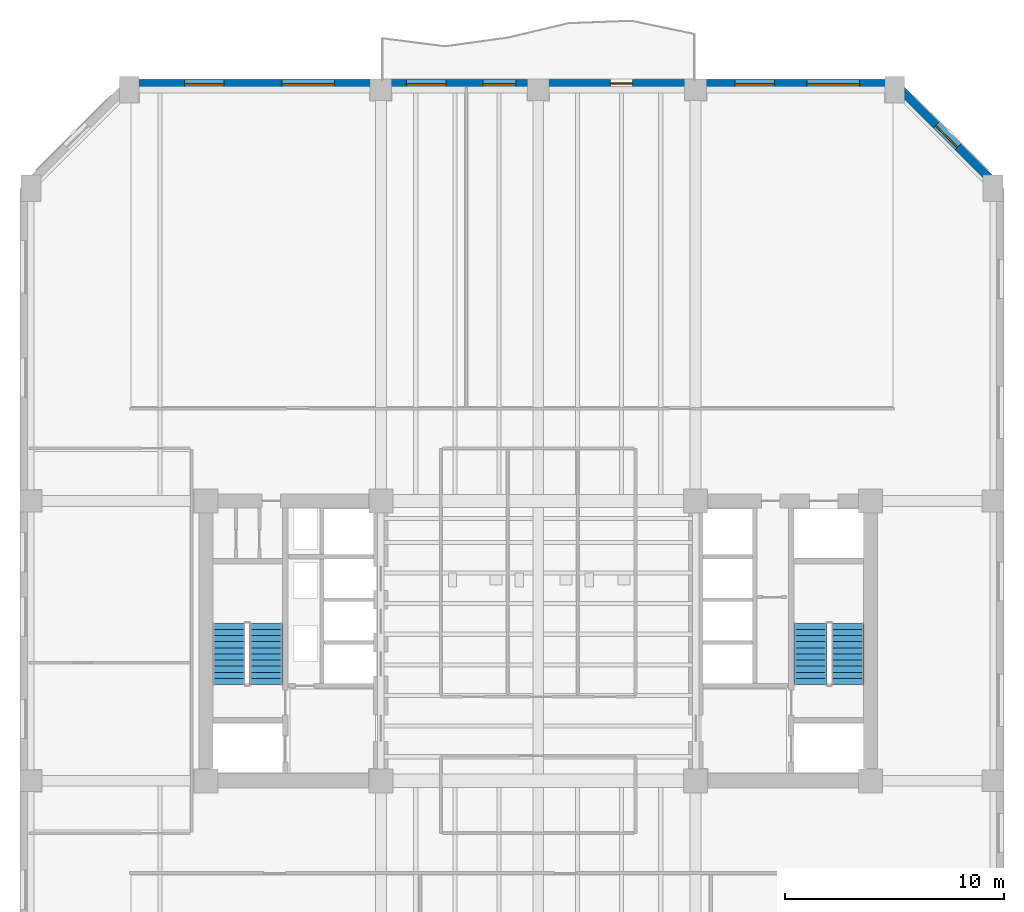
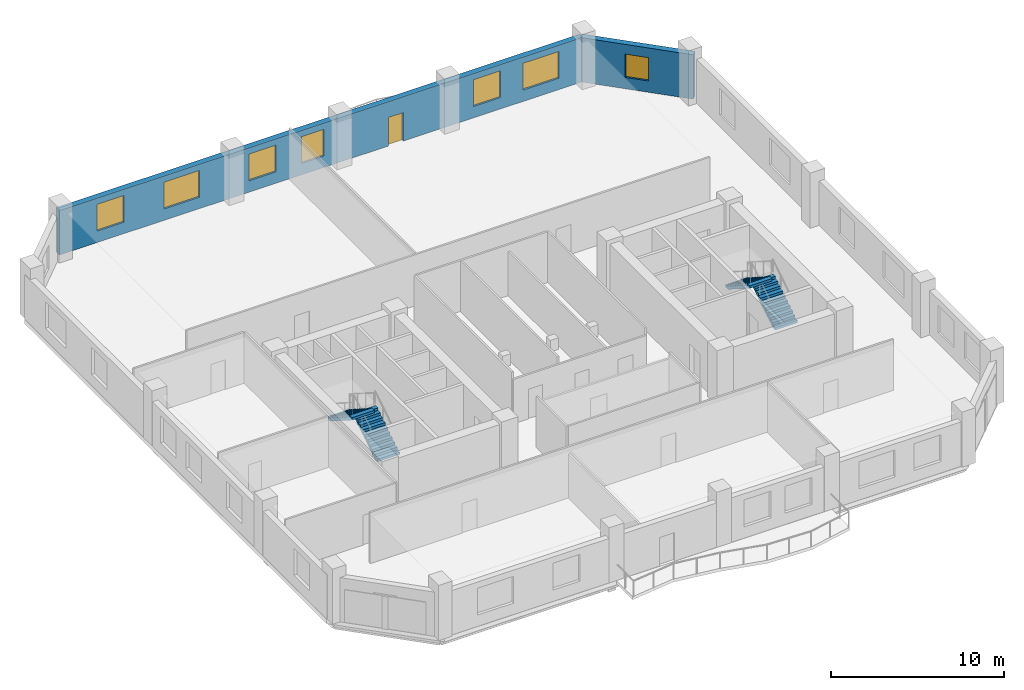
# One storey, part 5 of 10: 7 windows, 4 stair flights, 2 walls, 1 door, 8 openings, 2 elements without a shape of their own.
"""IFC4 building model written with IfcOpenShell, lengths in metres."""

from ifc_helpers import new_model, si_unit, direction, frame, frame_2d, origin, place, context, subcontext, project, spatial, polyline, rectangle, outline, extrude, material, layer, layer_set, type_object, element, fill, aggregate, save


model = new_model("IFC4")

# Units and contexts
model_context = context("Model", 3, precision=1e-05, world=origin(), true_north=direction((0.0, 1.0)))
body_context = subcontext(model_context, "Body", "Model", "MODEL_VIEW")
ifc_project = project(units=[si_unit("LENGTHUNIT", "METRE"), si_unit("AREAUNIT", "SQUARE_METRE"), si_unit("VOLUMEUNIT", "CUBIC_METRE"), si_unit("PLANEANGLEUNIT", "RADIAN"), si_unit("MASSUNIT", "GRAM", prefix="KILO")], contexts=[model_context])

# Site, building, storey
site_placement = place(None, origin())
site = spatial("IfcSite", under=ifc_project, at=site_placement, CompositionType="ELEMENT")
building_placement = place(site_placement, origin())
building = spatial("IfcBuilding", under=site, at=building_placement, Name="Kranthara Brick Stack", CompositionType="ELEMENT")
storey_placement = place(building_placement, frame((0.0, 0.0, 102.300048828125)))
storey = spatial("IfcBuildingStorey", under=building, at=storey_placement, Name="L25", CompositionType="ELEMENT", Elevation=102.300048828125)

# Wall, openings, door, windows
ifc_material_1 = material(Name="Kiln-fired clay brick masonry M15", Category="masonry")
ifc_layer = layer(ifc_material_1, 0.3798828125)
ifc_layer_set = layer_set([ifc_layer], Name="Kiln-fired clay brick masonry M15")
wall_type = type_object("IfcWallType", Name="WL-BRK-PIER-380", PredefinedType="STANDARD", material=ifc_layer_set)
wall_1_placement = place(storey_placement, frame((9.300048828125, 52.68994140625, 0.0), z_axis=(0.0, 0.0, 1.0), x_axis=(1.0, 0.0, 0.0)))
wall_1 = element("IfcWall", 1, at=wall_1_placement, inside=storey, type_object=wall_type, Name="L25 Exterior Brick Facade Wall NORTH 1", PredefinedType="STANDARD", context=body_context, shape_type="SweptSolid", body=[
    extrude(rectangle(XDim=35.0, YDim=0.3798828125, at=frame_2d((17.5, 0.0))), origin(), (0.0, 0.0, 1.0), 3.135009765625),
])
opening_1_placement = place(wall_1_placement, frame((22.0, 0.0, 0.0)))
opening_1 = element("IfcOpeningElement", 2, at=opening_1_placement, cuts=wall_1, Name="Opening D03", PredefinedType="OPENING", context=body_context, shape_type="SweptSolid", body=[
    extrude(rectangle(XDim=1.0, YDim=2.02001953125, at=frame_2d((0.5, 1.010009765625))), frame((0.0, 0.199951171875, 0.0), z_axis=(0.0, -1.0, 0.0), x_axis=(1.0, 0.0, 0.0)), (0.0, 0.0, 1.0), 0.39990234375),
])
opening_2_placement = place(wall_1_placement, frame((2.52392578125, 0.0, 0.800048828125)))
opening_2 = element("IfcOpeningElement", 3, at=opening_2_placement, cuts=wall_1, Name="Opening WN01", PredefinedType="OPENING", context=body_context, shape_type="SweptSolid", body=[
    extrude(rectangle(XDim=1.800048828125, YDim=1.89990234375, at=frame_2d((0.89990234375, 0.949951171875))), frame((0.0, 0.199951171875, 0.0), z_axis=(0.0, -1.0, 0.0), x_axis=(1.0, 0.0, 0.0)), (0.0, 0.0, 1.0), 0.39990234375),
])
opening_3_placement = place(wall_1_placement, frame((6.97607421875, 0.0, 0.800048828125)))
opening_3 = element("IfcOpeningElement", 4, at=opening_3_placement, cuts=wall_1, Name="Opening WN02", PredefinedType="OPENING", context=body_context, shape_type="SweptSolid", body=[
    extrude(rectangle(XDim=2.39990234375, YDim=1.89990234375, at=frame_2d((1.199951171875, 0.949951171875))), frame((0.0, 0.199951171875, 0.0), z_axis=(0.0, -1.0, 0.0), x_axis=(1.0, 0.0, 0.0)), (0.0, 0.0, 1.0), 0.39990234375),
])
opening_4_placement = place(wall_1_placement, frame((12.675048828125, 0.0, 0.800048828125)))
opening_4 = element("IfcOpeningElement", 5, at=opening_4_placement, cuts=wall_1, Name="Opening WN01", PredefinedType="OPENING", context=body_context, shape_type="SweptSolid", body=[
    extrude(rectangle(XDim=1.800048828125, YDim=1.89990234375, at=frame_2d((0.89990234375, 0.949951171875))), frame((0.0, 0.199951171875, 0.0), z_axis=(0.0, -1.0, 0.0), x_axis=(1.0, 0.0, 0.0)), (0.0, 0.0, 1.0), 0.39990234375),
])
opening_5_placement = place(wall_1_placement, frame((16.175048828125, 0.0, 0.800048828125)))
opening_5 = element("IfcOpeningElement", 6, at=opening_5_placement, cuts=wall_1, Name="Opening WN03", PredefinedType="OPENING", context=body_context, shape_type="SweptSolid", body=[
    extrude(rectangle(XDim=1.5, YDim=1.89990234375, at=frame_2d((0.75, 0.949951171875))), frame((0.0, 0.199951171875, 0.0), z_axis=(0.0, -1.0, 0.0), x_axis=(1.0, 0.0, 0.0)), (0.0, 0.0, 1.0), 0.39990234375),
])
opening_6_placement = place(wall_1_placement, frame((27.699951171875, 0.0, 0.800048828125)))
opening_6 = element("IfcOpeningElement", 7, at=opening_6_placement, cuts=wall_1, Name="Opening WN01", PredefinedType="OPENING", context=body_context, shape_type="SweptSolid", body=[
    extrude(rectangle(XDim=1.800048828125, YDim=1.89990234375, at=frame_2d((0.89990234375, 0.949951171875))), frame((0.0, 0.199951171875, 0.0), z_axis=(0.0, -1.0, 0.0), x_axis=(1.0, 0.0, 0.0)), (0.0, 0.0, 1.0), 0.39990234375),
])
opening_7_placement = place(wall_1_placement, frame((31.0, 0.0, 0.800048828125)))
opening_7 = element("IfcOpeningElement", 8, at=opening_7_placement, cuts=wall_1, Name="Opening WN02", PredefinedType="OPENING", context=body_context, shape_type="SweptSolid", body=[
    extrude(rectangle(XDim=2.39990234375, YDim=1.89990234375, at=frame_2d((1.199951171875, 0.949951171875))), frame((0.0, 0.199951171875, 0.0), z_axis=(0.0, -1.0, 0.0), x_axis=(1.0, 0.0, 0.0)), (0.0, 0.0, 1.0), 0.39990234375),
])
ifc_material_2 = material(Name="Bronze anodised aluminium and laminated glass", Category="aluminium")
door_type = type_object("IfcDoorType", Name="DR-BALC-1000", OperationType="NOTDEFINED", PredefinedType="DOOR", material=ifc_material_2)
door_placement = place(opening_1_placement, origin())
door = element("IfcDoor", 9, at=door_placement, inside=storey, type_object=door_type, Name="L25 North Balcony Terrace Door", OperationType="SINGLE_SWING_RIGHT", OverallHeight=2.02001953125, OverallWidth=1.0, PredefinedType="DOOR", context=body_context, shape_type="SweptSolid", body=[
    extrude(rectangle(XDim=1.0, YDim=2.02001953125, at=frame_2d((0.5, 1.010009765625))), frame((0.0, 0.02490234375, 0.0), z_axis=(0.0, -1.0, 0.0), x_axis=(1.0, 0.0, 0.0)), (0.0, 0.0, 1.0), 0.050048828125),
])
fill(opening_1, door)
ifc_material_3 = material(Name="Double-glazed low-E solar control glass", Category="glass")
window_type_1 = type_object("IfcWindowType", Name="WN-OFF-1500x2000", PartitioningType="SINGLE_PANEL", PredefinedType="WINDOW", material=ifc_material_3)
window_1_placement = place(opening_5_placement, origin())
window_1 = element("IfcWindow", 10, at=window_1_placement, inside=storey, type_object=window_type_1, Name="L25 North Deep-Set Brick Window 04", OverallHeight=1.89990234375, OverallWidth=1.5, PartitioningType="SINGLE_PANEL", PredefinedType="WINDOW", context=body_context, shape_type="SweptSolid", body=[
    extrude(rectangle(XDim=1.5, YDim=1.89990234375, at=frame_2d((0.75, 0.949951171875))), frame((0.0, -0.010009765625, 0.0), z_axis=(0.0, -1.0, 0.0), x_axis=(1.0, 0.0, 0.0)), (0.0, 0.0, 1.0), 0.06005859375),
])
fill(opening_5, window_1)
ifc_material_4 = material(Name="Double-glazed low-E solar control glass", Category="glass")
window_type_2 = type_object("IfcWindowType", Name="WN-OFF-1800x2000", PartitioningType="SINGLE_PANEL", PredefinedType="WINDOW", material=ifc_material_4)
window_2_placement = place(opening_2_placement, origin())
window_2 = element("IfcWindow", 11, at=window_2_placement, inside=storey, type_object=window_type_2, Name="L25 North Deep-Set Brick Window 01", OverallHeight=1.89990234375, OverallWidth=1.800048828125, PartitioningType="SINGLE_PANEL", PredefinedType="WINDOW", context=body_context, shape_type="SweptSolid", body=[
    extrude(rectangle(XDim=1.800048828125, YDim=1.89990234375, at=frame_2d((0.89990234375, 0.949951171875))), frame((0.0, -0.010009765625, 0.0), z_axis=(0.0, -1.0, 0.0), x_axis=(1.0, 0.0, 0.0)), (0.0, 0.0, 1.0), 0.06005859375),
])
fill(opening_2, window_2)
window_3_placement = place(opening_4_placement, origin())
window_3 = element("IfcWindow", 12, at=window_3_placement, inside=storey, type_object=window_type_2, Name="L25 North Deep-Set Brick Window 03", OverallHeight=1.89990234375, OverallWidth=1.800048828125, PartitioningType="SINGLE_PANEL", PredefinedType="WINDOW", context=body_context, shape_type="SweptSolid", body=[
    extrude(rectangle(XDim=1.800048828125, YDim=1.89990234375, at=frame_2d((0.89990234375, 0.949951171875))), frame((0.0, -0.010009765625, 0.0), z_axis=(0.0, -1.0, 0.0), x_axis=(1.0, 0.0, 0.0)), (0.0, 0.0, 1.0), 0.06005859375),
])
fill(opening_4, window_3)
window_4_placement = place(opening_6_placement, origin())
window_4 = element("IfcWindow", 13, at=window_4_placement, inside=storey, type_object=window_type_2, Name="L25 North Deep-Set Brick Window 05", OverallHeight=1.89990234375, OverallWidth=1.800048828125, PartitioningType="SINGLE_PANEL", PredefinedType="WINDOW", context=body_context, shape_type="SweptSolid", body=[
    extrude(rectangle(XDim=1.800048828125, YDim=1.89990234375, at=frame_2d((0.89990234375, 0.949951171875))), frame((0.0, -0.010009765625, 0.0), z_axis=(0.0, -1.0, 0.0), x_axis=(1.0, 0.0, 0.0)), (0.0, 0.0, 1.0), 0.06005859375),
])
fill(opening_6, window_4)
ifc_material_5 = material(Name="Double-glazed low-E solar control glass", Category="glass")
window_type_3 = type_object("IfcWindowType", Name="WN-OFF-2400x2000", PartitioningType="DOUBLE_PANEL_VERTICAL", PredefinedType="WINDOW", material=ifc_material_5)
window_5_placement = place(opening_3_placement, origin())
window_5 = element("IfcWindow", 14, at=window_5_placement, inside=storey, type_object=window_type_3, Name="L25 North Deep-Set Brick Window 02", OverallHeight=1.89990234375, OverallWidth=2.39990234375, PartitioningType="SINGLE_PANEL", PredefinedType="WINDOW", context=body_context, shape_type="SweptSolid", body=[
    extrude(rectangle(XDim=2.39990234375, YDim=1.89990234375, at=frame_2d((1.199951171875, 0.949951171875))), frame((0.0, -0.010009765625, 0.0), z_axis=(0.0, -1.0, 0.0), x_axis=(1.0, 0.0, 0.0)), (0.0, 0.0, 1.0), 0.06005859375),
])
fill(opening_3, window_5)
window_6_placement = place(opening_7_placement, origin())
window_6 = element("IfcWindow", 15, at=window_6_placement, inside=storey, type_object=window_type_3, Name="L25 North Deep-Set Brick Window 06", OverallHeight=1.89990234375, OverallWidth=2.39990234375, PartitioningType="SINGLE_PANEL", PredefinedType="WINDOW", context=body_context, shape_type="SweptSolid", body=[
    extrude(rectangle(XDim=2.39990234375, YDim=1.89990234375, at=frame_2d((1.199951171875, 0.949951171875))), frame((0.0, -0.010009765625, 0.0), z_axis=(0.0, -1.0, 0.0), x_axis=(1.0, 0.0, 0.0)), (0.0, 0.0, 1.0), 0.06005859375),
])
fill(opening_7, window_6)

# Wall, opening, window
wall_2_placement = place(storey_placement, frame((44.300048828125, 52.68994140625, 0.0), z_axis=(0.0, 0.0, 1.0), x_axis=(0.707106781187, -0.707106781187, 0.0)))
wall_2 = element("IfcWall", 16, at=wall_2_placement, inside=storey, type_object=wall_type, Name="L25 Exterior Brick Facade Wall NE 1", PredefinedType="STANDARD", context=body_context, shape_type="SweptSolid", body=[
    extrude(rectangle(XDim=6.774169921875, YDim=0.3798828125, at=frame_2d((3.38720703125, 0.0))), origin(), (0.0, 0.0, 1.0), 3.135009765625),
])
opening_8_placement = place(wall_2_placement, frame((2.68701171875, 0.0, 0.800048828125)))
opening_8 = element("IfcOpeningElement", 17, at=opening_8_placement, cuts=wall_2, Name="Opening WN10", PredefinedType="OPENING", context=body_context, shape_type="SweptSolid", body=[
    extrude(rectangle(XDim=1.39990234375, YDim=1.64990234375, at=frame_2d((0.699951171875, 0.824951171875))), frame((0.0, 0.199951171875, 0.0), z_axis=(0.0, -1.0, 0.0), x_axis=(1.0, 0.0, 0.0)), (0.0, 0.0, 1.0), 0.39990234375),
])
ifc_material_6 = material(Name="Double-glazed low-E solar control glass", Category="glass")
window_type_4 = type_object("IfcWindowType", Name="WN-CHM-1400x1750", PartitioningType="SINGLE_PANEL", PredefinedType="WINDOW", material=ifc_material_6)
window_7_placement = place(opening_8_placement, origin())
window_7 = element("IfcWindow", 18, at=window_7_placement, inside=storey, type_object=window_type_4, Name="L25 NE Chamfer Corner Window", OverallHeight=1.64990234375, OverallWidth=1.39990234375, PartitioningType="SINGLE_PANEL", PredefinedType="WINDOW", context=body_context, shape_type="SweptSolid", body=[
    extrude(rectangle(XDim=1.39990234375, YDim=1.64990234375, at=frame_2d((0.699951171875, 0.824951171875))), frame((0.0, -0.010009765625, 0.0), z_axis=(0.0, -1.0, 0.0), x_axis=(1.0, 0.0, 0.0)), (0.0, 0.0, 1.0), 0.06005859375),
])
fill(opening_8, window_7)

# Stair, stair flights
ifc_material_7 = material(Name="Concrete C45/55", Category="concrete")
stair_type = type_object("IfcStairType", Name="ST-CORE-22R", PredefinedType="HALF_TURN_STAIR", material=ifc_material_7)
stair_1_placement = place(storey_placement, origin())
stair_1 = element("IfcStair", 19, at=stair_1_placement, inside=storey, type_object=stair_type, Name="L25 West Core Protected Exit Stair ST01", PredefinedType="HALF_TURN_STAIR")
ifc_material_8 = material(Name="Concrete C45/55", Category="concrete")
stair_flight_type = type_object("IfcStairFlightType", Name="SFL-RC-22R", PredefinedType="STRAIGHT", material=ifc_material_8)
stair_flight_1_placement = place(storey_placement, frame((15.550048828125, 25.199951171875, 0.0), z_axis=(0.0, 0.0, 1.0), x_axis=(0.0, 1.0, 0.0)))
stair_flight_1 = element("IfcStairFlight", 20, at=stair_flight_1_placement, type_object=stair_flight_type, Name="ST01 flight 1", NumberOfRisers=11, NumberOfTreads=10, PredefinedType="STRAIGHT", RiserHeight=0.177272727, TreadLength=0.28, context=body_context, shape_type="SweptSolid", body=[
    extrude(outline(polyline([(0.0, 0.0), (0.0, 0.17724609375), (0.280029296875, 0.17724609375), (0.280029296875, 0.3544921875), (0.56005859375, 0.3544921875), (0.56005859375, 0.53173828125), (0.840087890625, 0.53173828125), (0.840087890625, 0.708984375), (1.1201171875, 0.708984375), (1.1201171875, 0.886474609375), (1.39990234375, 0.886474609375), (1.39990234375, 1.063720703125), (1.679931640625, 1.063720703125), (1.679931640625, 1.240966796875), (1.9599609375, 1.240966796875), (1.9599609375, 1.418212890625), (2.239990234375, 1.418212890625), (2.239990234375, 1.595458984375), (2.52001953125, 1.595458984375), (2.52001953125, 1.772705078125), (2.800048828125, 1.772705078125), (2.800048828125, 1.949951171875), (2.800048828125, 1.59521484375), (0.2802734375, 0.0), (0.0, 0.0)])), frame((0.0, 0.75, 0.0), z_axis=(0.0, -1.0, 0.0), x_axis=(1.0, 0.0, 0.0)), (0.0, 0.0, 1.0), 1.5),
])
stair_flight_2_placement = place(storey_placement, frame((13.85009765625, 28.0, 1.949951171875), z_axis=(0.0, 0.0, 1.0), x_axis=(0.0, -1.0, 0.0)))
stair_flight_2 = element("IfcStairFlight", 21, at=stair_flight_2_placement, type_object=stair_flight_type, Name="ST01 flight 2", NumberOfRisers=11, NumberOfTreads=10, PredefinedType="STRAIGHT", RiserHeight=0.177272727, TreadLength=0.28, context=body_context, shape_type="SweptSolid", body=[
    extrude(outline(polyline([(0.0, 0.0), (0.0, 0.17724609375), (0.280029296875, 0.17724609375), (0.280029296875, 0.3544921875), (0.56005859375, 0.3544921875), (0.56005859375, 0.53173828125), (0.840087890625, 0.53173828125), (0.840087890625, 0.708984375), (1.1201171875, 0.708984375), (1.1201171875, 0.886474609375), (1.39990234375, 0.886474609375), (1.39990234375, 1.063720703125), (1.679931640625, 1.063720703125), (1.679931640625, 1.240966796875), (1.9599609375, 1.240966796875), (1.9599609375, 1.418212890625), (2.239990234375, 1.418212890625), (2.239990234375, 1.595458984375), (2.52001953125, 1.595458984375), (2.52001953125, 1.772705078125), (2.800048828125, 1.772705078125), (2.800048828125, 1.949951171875), (2.800048828125, 1.59521484375), (0.2802734375, 0.0), (0.0, 0.0)])), frame((0.0, 0.75, 0.0), z_axis=(0.0, -1.0, 0.0), x_axis=(1.0, 0.0, 0.0)), (0.0, 0.0, 1.0), 1.5),
])
aggregate(stair_1, [stair_flight_1, stair_flight_2])

stair_2_placement = place(storey_placement, origin())
stair_2 = element("IfcStair", 22, at=stair_2_placement, inside=storey, type_object=stair_type, Name="L25 East Core Protected Exit Stair ST02", PredefinedType="HALF_TURN_STAIR")
stair_flight_3_placement = place(storey_placement, frame((42.14990234375, 25.199951171875, 0.0), z_axis=(0.0, 0.0, 1.0), x_axis=(0.0, 1.0, 0.0)))
stair_flight_3 = element("IfcStairFlight", 23, at=stair_flight_3_placement, type_object=stair_flight_type, Name="ST02 flight 1", NumberOfRisers=11, NumberOfTreads=10, PredefinedType="STRAIGHT", RiserHeight=0.177272727, TreadLength=0.28, context=body_context, shape_type="SweptSolid", body=[
    extrude(outline(polyline([(0.0, 0.0), (0.0, 0.17724609375), (0.280029296875, 0.17724609375), (0.280029296875, 0.3544921875), (0.56005859375, 0.3544921875), (0.56005859375, 0.53173828125), (0.840087890625, 0.53173828125), (0.840087890625, 0.708984375), (1.1201171875, 0.708984375), (1.1201171875, 0.886474609375), (1.39990234375, 0.886474609375), (1.39990234375, 1.063720703125), (1.679931640625, 1.063720703125), (1.679931640625, 1.240966796875), (1.9599609375, 1.240966796875), (1.9599609375, 1.418212890625), (2.239990234375, 1.418212890625), (2.239990234375, 1.595458984375), (2.52001953125, 1.595458984375), (2.52001953125, 1.772705078125), (2.800048828125, 1.772705078125), (2.800048828125, 1.949951171875), (2.800048828125, 1.59521484375), (0.2802734375, 0.0), (0.0, 0.0)])), frame((0.0, 0.75, 0.0), z_axis=(0.0, -1.0, 0.0), x_axis=(1.0, 0.0, 0.0)), (0.0, 0.0, 1.0), 1.5),
])
stair_flight_4_placement = place(storey_placement, frame((40.449951171875, 28.0, 1.949951171875), z_axis=(0.0, 0.0, 1.0), x_axis=(0.0, -1.0, 0.0)))
stair_flight_4 = element("IfcStairFlight", 24, at=stair_flight_4_placement, type_object=stair_flight_type, Name="ST02 flight 2", NumberOfRisers=11, NumberOfTreads=10, PredefinedType="STRAIGHT", RiserHeight=0.177272727, TreadLength=0.28, context=body_context, shape_type="SweptSolid", body=[
    extrude(outline(polyline([(0.0, 0.0), (0.0, 0.17724609375), (0.280029296875, 0.17724609375), (0.280029296875, 0.3544921875), (0.56005859375, 0.3544921875), (0.56005859375, 0.53173828125), (0.840087890625, 0.53173828125), (0.840087890625, 0.708984375), (1.1201171875, 0.708984375), (1.1201171875, 0.886474609375), (1.39990234375, 0.886474609375), (1.39990234375, 1.063720703125), (1.679931640625, 1.063720703125), (1.679931640625, 1.240966796875), (1.9599609375, 1.240966796875), (1.9599609375, 1.418212890625), (2.239990234375, 1.418212890625), (2.239990234375, 1.595458984375), (2.52001953125, 1.595458984375), (2.52001953125, 1.772705078125), (2.800048828125, 1.772705078125), (2.800048828125, 1.949951171875), (2.800048828125, 1.59521484375), (0.2802734375, 0.0), (0.0, 0.0)])), frame((0.0, 0.75, 0.0), z_axis=(0.0, -1.0, 0.0), x_axis=(1.0, 0.0, 0.0)), (0.0, 0.0, 1.0), 1.5),
])
aggregate(stair_2, [stair_flight_3, stair_flight_4])

save(model, "model.ifc")
